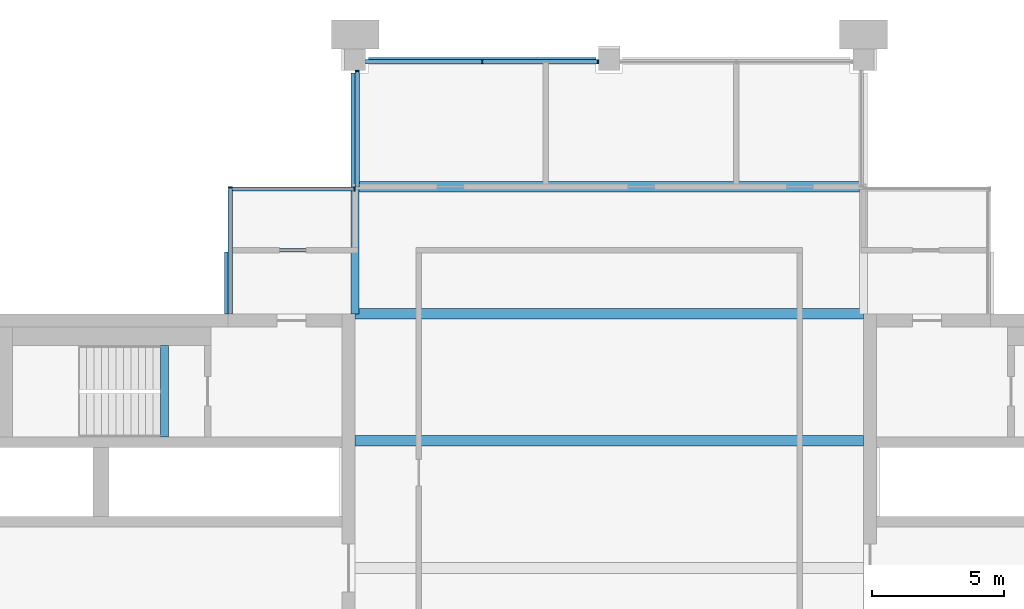
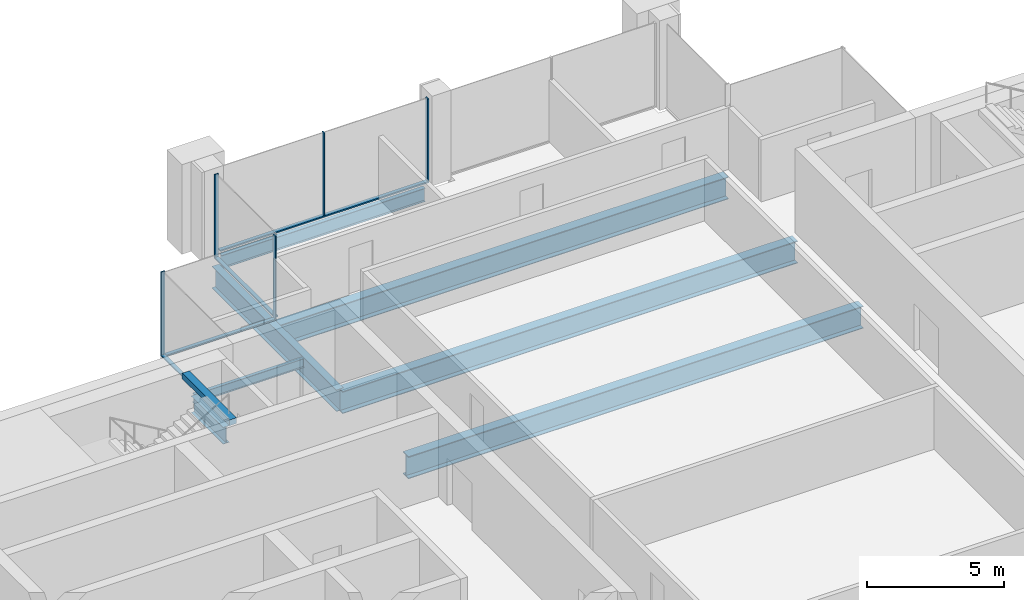
# One storey, part 5 of 11: 9 members, 8 beams, 4 elements without a shape of their own.
"""IFC4 building model written with IfcOpenShell, lengths in metres."""

from ifc_helpers import new_model, si_unit, direction, frame, origin, origin_2d, place, context, subcontext, project, spatial, rectangle, i_section, extrude, material, material_profile, profile_set, type_object, element, aggregate, save


model = new_model("IFC4")

# Units and contexts
model_context = context("Model", 3, precision=1e-05, world=origin(), true_north=direction((0.0, 1.0)))
body_context = subcontext(model_context, "Body", "Model", "MODEL_VIEW")
ifc_project = project(units=[si_unit("LENGTHUNIT", "METRE"), si_unit("AREAUNIT", "SQUARE_METRE"), si_unit("VOLUMEUNIT", "CUBIC_METRE"), si_unit("PLANEANGLEUNIT", "RADIAN"), si_unit("MASSUNIT", "GRAM", prefix="KILO")], contexts=[model_context])

# Site, building, storey
site_placement = place(None, origin())
site = spatial("IfcSite", under=ifc_project, at=site_placement, CompositionType="ELEMENT")
building_placement = place(site_placement, origin())
building = spatial("IfcBuilding", under=site, at=building_placement, Name="Baori Bourse Tower", CompositionType="ELEMENT")
storey_placement = place(building_placement, frame((0.0, 0.0, 354.300048828125)))
storey = spatial("IfcBuildingStorey", under=building, at=storey_placement, Name="L79", CompositionType="ELEMENT", Elevation=354.300048828125)

# Curtain wall, members
ifc_material_1 = material(Name="Pale anodised aluminium", Category="aluminium")
curtain_wall_type = type_object("IfcCurtainWallType", Name="CW3 Curtain wall", PredefinedType="NOTDEFINED", material=ifc_material_1)
curtain_wall_1_placement = place(storey_placement, origin())
curtain_wall_1 = element("IfcCurtainWall", 1, at=curtain_wall_1_placement, inside=storey, type_object=curtain_wall_type, Name="Curtain wall CW3 L79 6", PredefinedType="NOTDEFINED")
ifc_material_2 = material(Name="Pale anodised aluminium", Category="aluminium")
ifc_material_profile_1 = material_profile(ifc_material_2, rectangle(XDim=0.159912109375, YDim=0.050048828125, at=origin_2d()), Name="Mullion 50x160")
ifc_profile_set_1 = profile_set([ifc_material_profile_1], Name="Pale anodised aluminium")
member_type_1 = type_object("IfcMemberType", Name="CW3 Curtain wall mullion", PredefinedType="MULLION", material=ifc_profile_set_1)
member_1_placement = place(storey_placement, frame((28.375, 47.919921875, 0.06005859375), z_axis=(0.0, 0.0, 1.0), x_axis=(0.0, -1.0, 0.0)))
member_1 = element("IfcMember", 2, at=member_1_placement, type_object=member_type_1, Name="Curtain wall CW3 mullion", PredefinedType="MULLION", context=body_context, shape_type="SweptSolid", body=[
    extrude(rectangle(XDim=0.159912109375, YDim=0.050048828125, at=origin_2d()), origin(), (0.0, 0.0, 1.0), 3.68994140625),
])
member_2_placement = place(storey_placement, frame((24.0, 47.919921875, 0.06005859375), z_axis=(0.0, 0.0, 1.0), x_axis=(0.0, -1.0, 0.0)))
member_2 = element("IfcMember", 3, at=member_2_placement, type_object=member_type_1, Name="Curtain wall CW3 mullion", PredefinedType="MULLION", context=body_context, shape_type="SweptSolid", body=[
    extrude(rectangle(XDim=0.159912109375, YDim=0.050048828125, at=origin_2d()), origin(), (0.0, 0.0, 1.0), 3.68994140625),
])

# Curtain wall, member
curtain_wall_2_placement = place(storey_placement, origin())
curtain_wall_2 = element("IfcCurtainWall", 4, at=curtain_wall_2_placement, inside=storey, type_object=curtain_wall_type, Name="Curtain wall CW3 L79 7", PredefinedType="NOTDEFINED")
member_3_placement = place(storey_placement, frame((19.280029296875, 47.574951171875, 0.06005859375), z_axis=(0.0, 0.0, 1.0), x_axis=(1.0, 0.0, 0.0)))
member_3 = element("IfcMember", 5, at=member_3_placement, type_object=member_type_1, Name="Curtain wall CW3 mullion", PredefinedType="MULLION", context=body_context, shape_type="SweptSolid", body=[
    extrude(rectangle(XDim=0.159912109375, YDim=0.050048828125, at=origin_2d()), origin(), (0.0, 0.0, 1.0), 3.68994140625),
])

curtain_wall_3_placement = place(storey_placement, origin())
curtain_wall_3 = element("IfcCurtainWall", 6, at=curtain_wall_3_placement, inside=storey, type_object=curtain_wall_type, Name="Curtain wall CW3 L79 8", PredefinedType="NOTDEFINED")
member_4_placement = place(storey_placement, frame((19.175048828125, 43.1201171875, 0.06005859375), z_axis=(0.0, 0.0, 1.0), x_axis=(0.0, -1.0, 0.0)))
member_4 = element("IfcMember", 7, at=member_4_placement, type_object=member_type_1, Name="Curtain wall CW3 mullion", PredefinedType="MULLION", context=body_context, shape_type="SweptSolid", body=[
    extrude(rectangle(XDim=0.159912109375, YDim=0.050048828125, at=origin_2d()), origin(), (0.0, 0.0, 1.0), 3.68994140625),
])

curtain_wall_4_placement = place(storey_placement, origin())
curtain_wall_4 = element("IfcCurtainWall", 8, at=curtain_wall_4_placement, inside=storey, type_object=curtain_wall_type, Name="Curtain wall CW3 L79 9", PredefinedType="NOTDEFINED")
member_5_placement = place(storey_placement, frame((14.47998046875, 43.175048828125, 0.06005859375), z_axis=(0.0, 0.0, 1.0), x_axis=(1.0, 0.0, 0.0)))
member_5 = element("IfcMember", 9, at=member_5_placement, type_object=member_type_1, Name="Curtain wall CW3 mullion", PredefinedType="MULLION", context=body_context, shape_type="SweptSolid", body=[
    extrude(rectangle(XDim=0.159912109375, YDim=0.050048828125, at=origin_2d()), origin(), (0.0, 0.0, 1.0), 3.68994140625),
])

# Member
ifc_material_3 = material(Name="Pale anodised aluminium", Category="aluminium")
ifc_material_profile_2 = material_profile(ifc_material_3, rectangle(XDim=0.159912109375, YDim=0.06005859375, at=origin_2d()), Name="Transom 60x160")
ifc_profile_set_2 = profile_set([ifc_material_profile_2], Name="Pale anodised aluminium")
member_type_2 = type_object("IfcMemberType", Name="CW3 Curtain wall transom", PredefinedType="USERDEFINED", material=ifc_profile_set_2)
member_6_placement = place(storey_placement, frame((28.39990234375, 47.919921875, 0.030029296875), z_axis=(-1.0, 0.0, 0.0), x_axis=(0.0, -1.0, 0.0)))
member_6 = element("IfcMember", 10, at=member_6_placement, type_object=member_type_2, Name="Curtain wall CW3 sill rail", ObjectType="TRANSOM", PredefinedType="USERDEFINED", context=body_context, shape_type="SweptSolid", body=[
    extrude(rectangle(XDim=0.159912109375, YDim=0.06005859375, at=origin_2d()), origin(), (0.0, 0.0, 1.0), 8.7998046875),
])

aggregate(curtain_wall_1, [member_6, member_1, member_2])

member_7_placement = place(storey_placement, frame((19.280029296875, 47.60009765625, 0.030029296875), z_axis=(0.0, -1.0, 0.0), x_axis=(1.0, 0.0, 0.0)))
member_7 = element("IfcMember", 11, at=member_7_placement, type_object=member_type_2, Name="Curtain wall CW3 sill rail", ObjectType="TRANSOM", PredefinedType="USERDEFINED", context=body_context, shape_type="SweptSolid", body=[
    extrude(rectangle(XDim=0.159912109375, YDim=0.06005859375, at=origin_2d()), origin(), (0.0, 0.0, 1.0), 4.400146484375),
])

aggregate(curtain_wall_2, [member_7, member_3])

member_8_placement = place(storey_placement, frame((19.199951171875, 43.1201171875, 0.030029296875), z_axis=(-1.0, 0.0, 0.0), x_axis=(0.0, -1.0, 0.0)))
member_8 = element("IfcMember", 12, at=member_8_placement, type_object=member_type_2, Name="Curtain wall CW3 sill rail", ObjectType="TRANSOM", PredefinedType="USERDEFINED", context=body_context, shape_type="SweptSolid", body=[
    extrude(rectangle(XDim=0.159912109375, YDim=0.06005859375, at=origin_2d()), origin(), (0.0, 0.0, 1.0), 4.800048828125),
])

aggregate(curtain_wall_3, [member_8, member_4])

member_9_placement = place(storey_placement, frame((14.47998046875, 43.199951171875, 0.030029296875), z_axis=(0.0, -1.0, 0.0), x_axis=(1.0, 0.0, 0.0)))
member_9 = element("IfcMember", 13, at=member_9_placement, type_object=member_type_2, Name="Curtain wall CW3 sill rail", ObjectType="TRANSOM", PredefinedType="USERDEFINED", context=body_context, shape_type="SweptSolid", body=[
    extrude(rectangle(XDim=0.159912109375, YDim=0.06005859375, at=origin_2d()), origin(), (0.0, 0.0, 1.0), 4.800048828125),
])

aggregate(curtain_wall_4, [member_9, member_5])

# Beams
ifc_material_4 = material(Name="Steel A992 Gr 50", Category="steel")
ifc_material_profile_3 = material_profile(ifc_material_4, i_section(OverallWidth=0.26416015625, OverallDepth=0.749267578125, WebThickness=0.011962890625, FlangeThickness=0.015380859375, at=origin_2d()), Name="W30x90")
ifc_profile_set_3 = profile_set([ifc_material_profile_3], Name="Steel A992 Gr 50")
beam_type_1 = type_object("IfcBeamType", Name="Core bracket W30x90", PredefinedType="BEAM", material=ifc_profile_set_3)
beam_1_placement = place(storey_placement, frame((14.39990234375, 38.39990234375, -0.624755859375), z_axis=(0.0, 1.0, 0.0), x_axis=(-1.0, 0.0, 0.0)))
element("IfcBeam", 14, at=beam_1_placement, inside=storey, type_object=beam_type_1, Name="Core bracket L79", PredefinedType="BEAM", context=body_context, shape_type="SweptSolid", body=[
    extrude(i_section(OverallWidth=0.26416015625, OverallDepth=0.749267578125, WebThickness=0.011962890625, FlangeThickness=0.015380859375, at=origin_2d()), origin(), (0.0, 0.0, 1.0), 2.329833984375),
])
ifc_material_5 = material(Name="Steel A992 Gr 50", Category="steel")
ifc_material_profile_4 = material_profile(ifc_material_5, i_section(OverallWidth=0.177978515625, OverallDepth=0.599365234375, WebThickness=0.010009765625, FlangeThickness=0.012939453125, at=origin_2d()), Name="W24x55")
ifc_profile_set_4 = profile_set([ifc_material_profile_4], Name="Steel A992 Gr 50")
beam_type_2 = type_object("IfcBeamType", Name="Edge beam W24x55", PredefinedType="BEAM", material=ifc_profile_set_4)
beam_2_placement = place(storey_placement, frame((19.699951171875, 48.0, -0.5498046875), z_axis=(1.0, 0.0, 0.0), x_axis=(0.0, 1.0, 0.0)))
element("IfcBeam", 15, at=beam_2_placement, inside=storey, type_object=beam_type_2, Name="Edge beam L79", PredefinedType="BEAM", context=body_context, shape_type="SweptSolid", body=[
    extrude(i_section(OverallWidth=0.177978515625, OverallDepth=0.599365234375, WebThickness=0.010009765625, FlangeThickness=0.012939453125, at=origin_2d()), origin(), (0.0, 0.0, 1.0), 8.60009765625),
])
ifc_material_6 = material(Name="Steel A992 Gr 50", Category="steel")
ifc_material_profile_5 = material_profile(ifc_material_6, i_section(OverallWidth=0.4013671875, OverallDepth=0.990478515625, WebThickness=0.0166015625, FlangeThickness=0.031005859375, at=origin_2d()), Name="W40x215")
ifc_profile_set_5 = profile_set([ifc_material_profile_5], Name="Steel A992 Gr 50")
beam_type_3 = type_object("IfcBeamType", Name="Floor beam W40x215", PredefinedType="BEAM", material=ifc_profile_set_5)
for number, where, z_axis, x_axis, name in (
    (16, (19.199951171875, 33.60009765625, -0.745361328125), (1.0, 0.0, 0.0), (0.0, 1.0, 0.0), "Floor beam L79"),
    (17, (19.199951171875, 38.39990234375, -0.745361328125), (1.0, 0.0, 0.0), (0.0, 1.0, 0.0), "Floor beam L79"),
):
    element("IfcBeam", number, at=place(storey_placement, frame(where, z_axis=z_axis, x_axis=x_axis)), inside=storey, type_object=beam_type_3, Name=name, PredefinedType="BEAM", context=body_context, shape_type="SweptSolid", body=[
        extrude(i_section(OverallWidth=0.4013671875, OverallDepth=0.990478515625, WebThickness=0.0166015625, FlangeThickness=0.031005859375, at=origin_2d()), origin(), (0.0, 0.0, 1.0), 19.199951171875),
    ])
beam_3_placement = place(storey_placement, frame((19.349853515625, 43.199951171875, -0.745361328125), z_axis=(1.0, 0.0, 0.0), x_axis=(0.0, 1.0, 0.0)))
element("IfcBeam", 18, at=beam_3_placement, inside=storey, type_object=beam_type_3, Name="Floor beam L79", PredefinedType="BEAM", context=body_context, shape_type="SweptSolid", body=[
    extrude(i_section(OverallWidth=0.4013671875, OverallDepth=0.990478515625, WebThickness=0.0166015625, FlangeThickness=0.031005859375, at=origin_2d()), origin(), (0.0, 0.0, 1.0), 18.900390625),
])
ifc_material_7 = material(Name="Steel A992 Gr 50", Category="steel")
ifc_material_profile_6 = material_profile(ifc_material_7, i_section(OverallWidth=0.2998046875, OverallDepth=0.97021484375, WebThickness=0.01611328125, FlangeThickness=0.02099609375, at=origin_2d()), Name="W40x149")
ifc_profile_set_6 = profile_set([ifc_material_profile_6], Name="Steel A992 Gr 50")
beam_type_4 = type_object("IfcBeamType", Name="Girder W40x149", PredefinedType="BEAM", material=ifc_profile_set_6)
beam_4_placement = place(storey_placement, frame((19.199951171875, 38.39990234375, -0.735107421875), z_axis=(0.0, 1.0, 0.0), x_axis=(-1.0, 0.0, 0.0)))
element("IfcBeam", 19, at=beam_4_placement, inside=storey, type_object=beam_type_4, Name="Girder L79", PredefinedType="BEAM", context=body_context, shape_type="SweptSolid", body=[
    extrude(i_section(OverallWidth=0.2998046875, OverallDepth=0.97021484375, WebThickness=0.01611328125, FlangeThickness=0.02099609375, at=origin_2d()), origin(), (0.0, 0.0, 1.0), 9.10009765625),
])
ifc_material_8 = material(Name="Concrete f'c 50 MPa", Category="concrete")
ifc_material_profile_7 = material_profile(ifc_material_8, rectangle(XDim=0.300048828125, YDim=0.25, at=origin_2d()), Name="RC 300x250")
ifc_profile_set_7 = profile_set([ifc_material_profile_7], Name="Concrete f'c 50 MPa")
beam_type_5 = type_object("IfcBeamType", Name="Stair nib beam RC 300x250", PredefinedType="BEAM", material=ifc_profile_set_7)
beam_5_placement = place(storey_placement, frame((12.0, 33.75, 3.625), z_axis=(0.0, 1.0, 0.0), x_axis=(-1.0, 0.0, 0.0)))
element("IfcBeam", 20, at=beam_5_placement, inside=storey, type_object=beam_type_5, Name="Stair WB nib beam L80", PredefinedType="BEAM", context=body_context, shape_type="SweptSolid", body=[
    extrude(rectangle(XDim=0.300048828125, YDim=0.25, at=origin_2d()), origin(), (0.0, 0.0, 1.0), 3.449951171875),
])
ifc_material_9 = material(Name="Steel A992 Gr 50", Category="steel")
ifc_material_profile_8 = material_profile(ifc_material_9, i_section(OverallWidth=0.140380859375, OverallDepth=0.40380859375, WebThickness=0.007080078125, FlangeThickness=0.01123046875, at=origin_2d()), Name="W16x31")
ifc_profile_set_8 = profile_set([ifc_material_profile_8], Name="Steel A992 Gr 50")
beam_type_6 = type_object("IfcBeamType", Name="Trimmer beam W16x31", PredefinedType="BEAM", material=ifc_profile_set_8)
beam_6_placement = place(storey_placement, frame((14.39990234375, 40.800048828125, -0.451904296875), z_axis=(1.0, 0.0, 0.0), x_axis=(0.0, 1.0, 0.0)))
element("IfcBeam", 21, at=beam_6_placement, inside=storey, type_object=beam_type_6, Name="Trimmer beam L79", PredefinedType="BEAM", context=body_context, shape_type="SweptSolid", body=[
    extrude(i_section(OverallWidth=0.140380859375, OverallDepth=0.40380859375, WebThickness=0.007080078125, FlangeThickness=0.01123046875, at=origin_2d()), origin(), (0.0, 0.0, 1.0), 4.650146484375),
])

save(model, "model.ifc")
